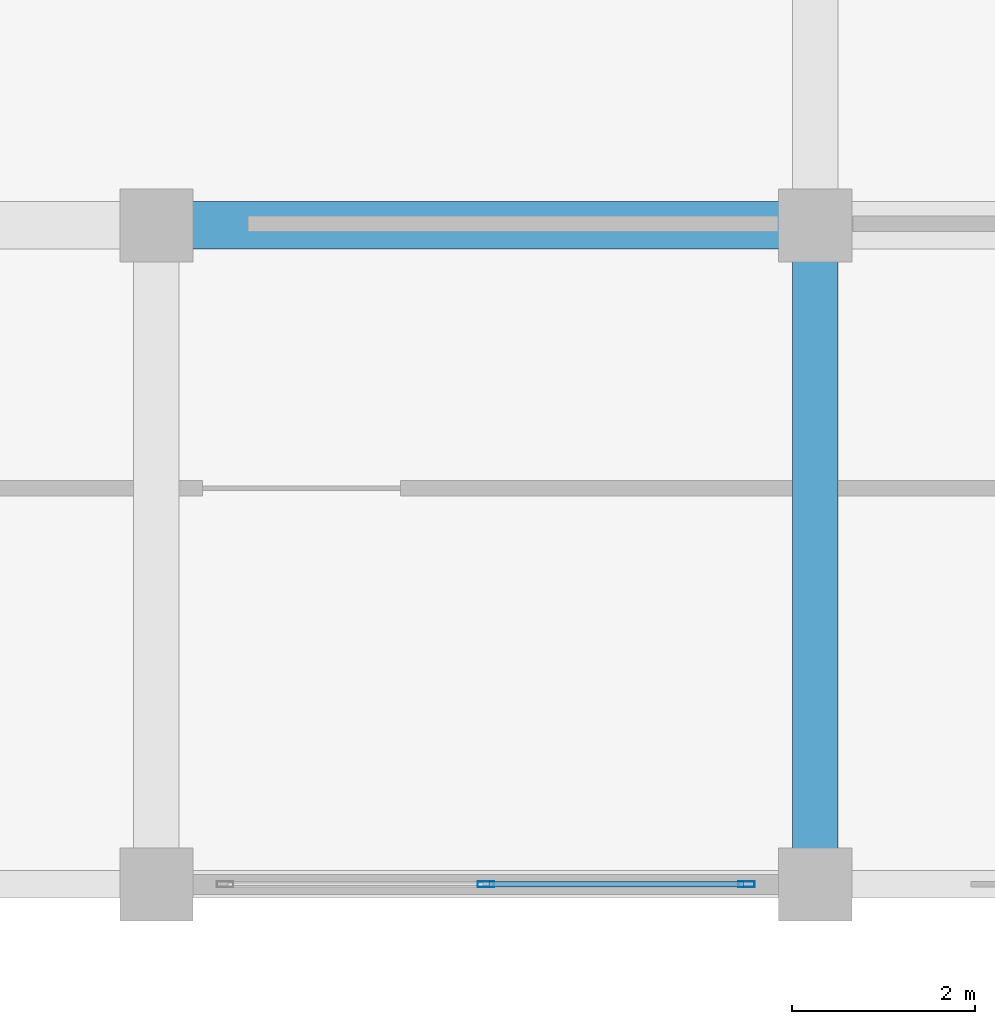
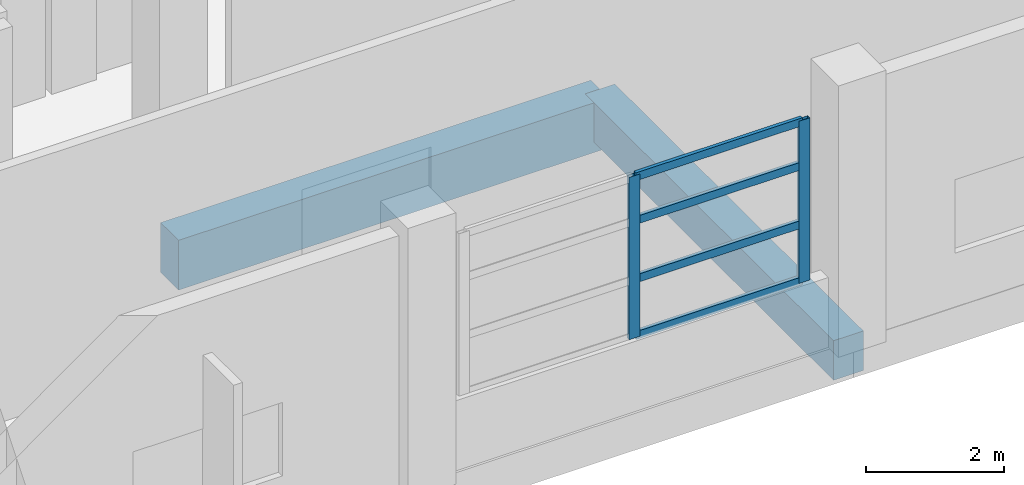
# One storey, part 33 of 140: 6 members, 2 beams, 1 element without a shape of its own.
"""IFC4 building model written with IfcOpenShell, lengths in metres."""

from ifc_helpers import new_model, si_unit, direction, frame, origin, origin_2d, place, context, subcontext, project, spatial, rectangle, hollow_rectangle, extrude, material, layer, layer_set, material_profile, profile_set, type_object, element, aggregate, save


model = new_model("IFC4")

# Units and contexts
model_context = context("Model", 3, precision=1e-05, world=origin(), true_north=direction((0.0, 1.0)))
body_context = subcontext(model_context, "Body", "Model", "MODEL_VIEW")
ifc_project = project(units=[si_unit("LENGTHUNIT", "METRE"), si_unit("AREAUNIT", "SQUARE_METRE"), si_unit("VOLUMEUNIT", "CUBIC_METRE"), si_unit("PLANEANGLEUNIT", "RADIAN"), si_unit("MASSUNIT", "GRAM", prefix="KILO")], contexts=[model_context])

# Site, building, storey
site_placement = place(None, origin())
site = spatial("IfcSite", under=ifc_project, at=site_placement, CompositionType="ELEMENT")
building_placement = place(site_placement, origin())
building = spatial("IfcBuilding", under=site, at=building_placement, Name="Seraya Terrace Polytechnic", CompositionType="ELEMENT")
storey_placement = place(building_placement, frame((0.0, 0.0, 9.60009765625)))
storey = spatial("IfcBuildingStorey", under=building, at=storey_placement, Name="L02", CompositionType="ELEMENT", Elevation=9.60009765625)

# Beams
ifc_material_1 = material(Name="Concrete C40/50", Category="concrete")
ifc_material_profile_1 = material_profile(ifc_material_1, rectangle(XDim=0.52001953125, YDim=0.8798828125, at=origin_2d()), Name="RC 520x880")
ifc_profile_set_1 = profile_set([ifc_material_profile_1], Name="Concrete C40/50")
beam_type_1 = type_object("IfcBeamType", Name="BM-04", PredefinedType="BEAM", material=ifc_profile_set_1)
beam_1_placement = place(storey_placement, frame((93.60009765625, 7.199951171875, -0.440185546875), z_axis=(1.0, 0.0, 0.0), x_axis=(0.0, 1.0, 0.0)))
element("IfcBeam", 1, at=beam_1_placement, inside=storey, type_object=beam_type_1, Name="Beam BM-04 L02 X (93.6..100.8, 7.2)", PredefinedType="BEAM", context=body_context, shape_type="SweptSolid", body=[
    extrude(rectangle(XDim=0.52001953125, YDim=0.8798828125, at=origin_2d()), origin(), (0.0, 0.0, 1.0), 7.199951171875),
])
ifc_material_profile_2 = material_profile(ifc_material_1, rectangle(XDim=0.5, YDim=0.699951171875, at=origin_2d()), Name="RC 500x700")
ifc_profile_set_2 = profile_set([ifc_material_profile_2], Name="Concrete C40/50")
beam_type_2 = type_object("IfcBeamType", Name="BM-07", PredefinedType="BEAM", material=ifc_profile_set_2)
beam_2_placement = place(storey_placement, frame((100.800048828125, 0.0, -0.35009765625), z_axis=(0.0, 1.0, 0.0), x_axis=(-1.0, 0.0, 0.0)))
element("IfcBeam", 2, at=beam_2_placement, inside=storey, type_object=beam_type_2, Name="Beam BM-07 L02 Y (100.8, 0.0..7.2)", PredefinedType="BEAM", context=body_context, shape_type="SweptSolid", body=[
    extrude(rectangle(XDim=0.5, YDim=0.699951171875, at=origin_2d()), origin(), (0.0, 0.0, 1.0), 7.199951171875),
])

# Curtain wall, members
ifc_material_2 = material(Name="Anodised aluminium EN AW-6063 T6", Category="aluminium")
ifc_layer = layer(ifc_material_2, 0.179931640625, Name="CW-01")
ifc_layer_set = layer_set([ifc_layer], Name="Anodised aluminium EN AW-6063 T6")
curtain_wall_type = type_object("IfcCurtainWallType", Name="CW-01", PredefinedType="NOTDEFINED", material=ifc_layer_set)
curtain_wall_placement = place(storey_placement, origin())
curtain_wall = element("IfcCurtainWall", 3, at=curtain_wall_placement, inside=storey, type_object=curtain_wall_type, Name="Unitised curtain wall CW-01 (CW-L02-073)", PredefinedType="NOTDEFINED")
ifc_material_profile_3 = material_profile(ifc_material_2, hollow_rectangle(XDim=0.06494140625, YDim=0.179931640625, WallThickness=0.00390625, at=origin_2d()), Name="RHS 180x65x4.0")
ifc_profile_set_3 = profile_set([ifc_material_profile_3], Name="Anodised aluminium EN AW-6063 T6")
member_type_1 = type_object("IfcMemberType", Name="CWM-01", PredefinedType="MULLION", material=ifc_profile_set_3)
member_1_placement = place(storey_placement, frame((100.047607421875, 0.0, 1.239990234375), z_axis=(0.0, 0.0, 1.0), x_axis=(0.0, -1.0, 0.0)))
member_1 = element("IfcMember", 4, at=member_1_placement, type_object=member_type_1, Name="CW-01 mullion 1", PredefinedType="MULLION", context=body_context, shape_type="SweptSolid", body=[
    extrude(hollow_rectangle(XDim=0.06494140625, YDim=0.179931640625, WallThickness=0.00390625, at=origin_2d()), origin(), (0.0, 0.0, 1.0), 2.869873046875),
])
member_2_placement = place(storey_placement, frame((97.199951171875, 0.0, 1.239990234375), z_axis=(0.0, 0.0, 1.0), x_axis=(0.0, -1.0, 0.0)))
member_2 = element("IfcMember", 5, at=member_2_placement, type_object=member_type_1, Name="CW-01 mullion 2", PredefinedType="MULLION", context=body_context, shape_type="SweptSolid", body=[
    extrude(hollow_rectangle(XDim=0.06494140625, YDim=0.179931640625, WallThickness=0.00390625, at=origin_2d()), origin(), (0.0, 0.0, 1.0), 2.869873046875),
])
ifc_material_profile_4 = material_profile(ifc_material_2, hollow_rectangle(XDim=0.06005859375, YDim=0.139892578125, WallThickness=0.00341796875, at=origin_2d()), Name="RHS 140x60x3.5")
ifc_profile_set_4 = profile_set([ifc_material_profile_4], Name="Anodised aluminium EN AW-6063 T6")
member_type_2 = type_object("IfcMemberType", Name="CWT-01", PredefinedType="USERDEFINED", material=ifc_profile_set_4)
member_3_placement = place(storey_placement, frame((100.014892578125, 0.0, 1.27001953125), z_axis=(-1.0, 0.0, 0.0), x_axis=(0.0, -1.0, 0.0)))
member_3 = element("IfcMember", 6, at=member_3_placement, type_object=member_type_2, Name="CW-01 transom 1.1", ObjectType="TRANSOM", PredefinedType="USERDEFINED", context=body_context, shape_type="SweptSolid", body=[
    extrude(hollow_rectangle(XDim=0.06005859375, YDim=0.139892578125, WallThickness=0.00341796875, at=origin_2d()), origin(), (0.0, 0.0, 1.0), 2.782470703125),
])
member_4_placement = place(storey_placement, frame((100.014892578125, 0.0, 2.273193359375), z_axis=(-1.0, 0.0, 0.0), x_axis=(0.0, -1.0, 0.0)))
member_4 = element("IfcMember", 7, at=member_4_placement, type_object=member_type_2, Name="CW-01 transom 1.2", ObjectType="TRANSOM", PredefinedType="USERDEFINED", context=body_context, shape_type="SweptSolid", body=[
    extrude(hollow_rectangle(XDim=0.06005859375, YDim=0.139892578125, WallThickness=0.00341796875, at=origin_2d()), origin(), (0.0, 0.0, 1.0), 2.782470703125),
])
member_5_placement = place(storey_placement, frame((100.014892578125, 0.0, 3.306396484375), z_axis=(-1.0, 0.0, 0.0), x_axis=(0.0, -1.0, 0.0)))
member_5 = element("IfcMember", 8, at=member_5_placement, type_object=member_type_2, Name="CW-01 transom 1.3", ObjectType="TRANSOM", PredefinedType="USERDEFINED", context=body_context, shape_type="SweptSolid", body=[
    extrude(hollow_rectangle(XDim=0.06005859375, YDim=0.139892578125, WallThickness=0.00341796875, at=origin_2d()), origin(), (0.0, 0.0, 1.0), 2.782470703125),
])
member_6_placement = place(storey_placement, frame((100.014892578125, 0.0, 4.079833984375), z_axis=(-1.0, 0.0, 0.0), x_axis=(0.0, -1.0, 0.0)))
member_6 = element("IfcMember", 9, at=member_6_placement, type_object=member_type_2, Name="CW-01 transom 1.4", ObjectType="TRANSOM", PredefinedType="USERDEFINED", context=body_context, shape_type="SweptSolid", body=[
    extrude(hollow_rectangle(XDim=0.06005859375, YDim=0.139892578125, WallThickness=0.00341796875, at=origin_2d()), origin(), (0.0, 0.0, 1.0), 2.782470703125),
])
aggregate(curtain_wall, [member_1, member_2, member_3, member_4, member_5, member_6])

save(model, "model.ifc")
